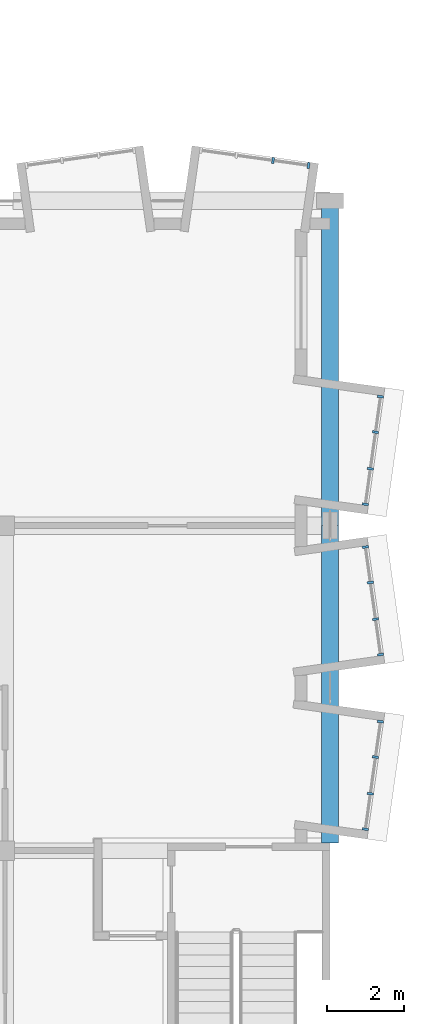
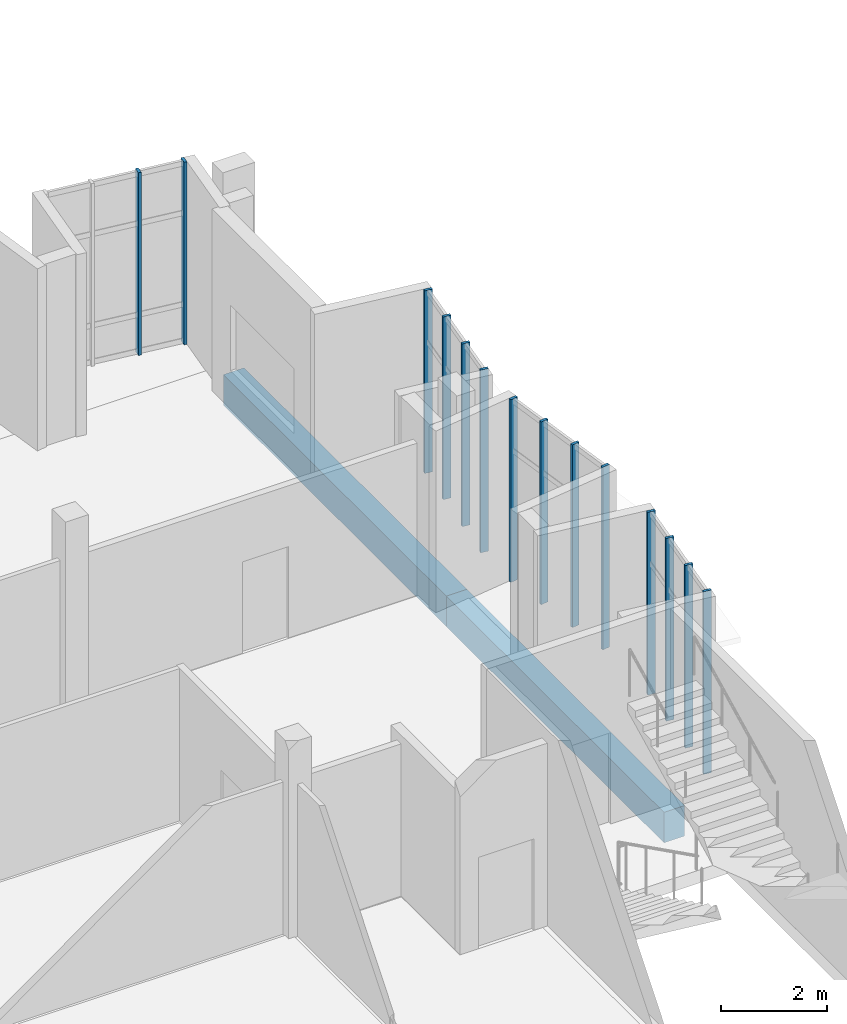
# One storey, part 4 of 18: 14 members, 2 beams, 4 elements without a shape of their own.
"""IFC4 building model written with IfcOpenShell, lengths in metres."""

from ifc_helpers import new_model, si_unit, direction, frame, origin, origin_2d, place, context, subcontext, project, spatial, rectangle, extrude, material, layer, layer_set, material_profile, profile_set, type_object, element, aggregate, save


model = new_model("IFC4")

# Units and contexts
model_context = context("Model", 3, precision=1e-05, world=origin(), true_north=direction((0.0, 1.0)))
body_context = subcontext(model_context, "Body", "Model", "MODEL_VIEW")
ifc_project = project(units=[si_unit("LENGTHUNIT", "METRE"), si_unit("AREAUNIT", "SQUARE_METRE"), si_unit("VOLUMEUNIT", "CUBIC_METRE"), si_unit("PLANEANGLEUNIT", "RADIAN"), si_unit("MASSUNIT", "GRAM", prefix="KILO")], contexts=[model_context])

# Site, building, storey
site_placement = place(None, origin())
site = spatial("IfcSite", under=ifc_project, at=site_placement, CompositionType="ELEMENT")
building_placement = place(site_placement, origin())
building = spatial("IfcBuilding", under=site, at=building_placement, Name="Kiln Court Media Centre", CompositionType="ELEMENT")
storey_placement = place(building_placement, frame((0.0, 0.0, 33.60009765625)))
storey = spatial("IfcBuildingStorey", under=building, at=storey_placement, Name="L07", CompositionType="ELEMENT", Elevation=33.60009765625)

# Curtain wall, members
ifc_material_1 = material(Name="Aluminium 6063-T6", Category="aluminium")
ifc_layer = layer(ifc_material_1, 0.1201171875)
ifc_layer_set = layer_set([ifc_layer], Name="Aluminium unitised bay curtain wall")
curtain_wall_type = type_object("IfcCurtainWallType", Name="Aluminium unitised bay curtain wall", PredefinedType="USERDEFINED", material=ifc_layer_set)
curtain_wall_1_placement = place(storey_placement, origin())
curtain_wall_1 = element("IfcCurtainWall", 1, at=curtain_wall_1_placement, inside=storey, type_object=curtain_wall_type, Name="BAY V6A-E-L07-14 front", ObjectType="UNITISED CURTAIN WALL", PredefinedType="USERDEFINED")
ifc_material_2 = material(Name="Aluminium 6063-T6", Category="aluminium")
ifc_material_profile_1 = material_profile(ifc_material_2, rectangle(XDim=0.06005859375, YDim=0.159912109375, at=origin_2d()), Name="Aluminium mullion 60x160")
ifc_profile_set_1 = profile_set([ifc_material_profile_1], Name="Aluminium 6063-T6")
member_type = type_object("IfcMemberType", Name="Aluminium mullion 60x160", PredefinedType="MULLION", material=ifc_profile_set_1)
member_1_placement = place(storey_placement, frame((34.513671875, 8.952880859375, 0.0), z_axis=(0.0, 0.0, 1.0), x_axis=(0.139162472554, 0.990269562409, 0.0)))
member_1 = element("IfcMember", 2, at=member_1_placement, type_object=member_type, Name="CW7-01 mullion 1", PredefinedType="MULLION", context=body_context, shape_type="SweptSolid", body=[
    extrude(rectangle(XDim=0.06005859375, YDim=0.159912109375, at=origin_2d()), origin(), (0.0, 0.0, 1.0), 4.199951171875),
])
member_2_placement = place(storey_placement, frame((34.642578125, 9.870361328125, 0.0), z_axis=(0.0, 0.0, 1.0), x_axis=(0.139162472554, 0.990269562409, 0.0)))
member_2 = element("IfcMember", 3, at=member_2_placement, type_object=member_type, Name="CW7-01 mullion 2", PredefinedType="MULLION", context=body_context, shape_type="SweptSolid", body=[
    extrude(rectangle(XDim=0.06005859375, YDim=0.159912109375, at=origin_2d()), origin(), (0.0, 0.0, 1.0), 4.199951171875),
])
member_3_placement = place(storey_placement, frame((34.775634765625, 10.81787109375, 0.0), z_axis=(0.0, 0.0, 1.0), x_axis=(0.139162472554, 0.990269562409, 0.0)))
member_3 = element("IfcMember", 4, at=member_3_placement, type_object=member_type, Name="CW7-01 mullion 3", PredefinedType="MULLION", context=body_context, shape_type="SweptSolid", body=[
    extrude(rectangle(XDim=0.06005859375, YDim=0.159912109375, at=origin_2d()), origin(), (0.0, 0.0, 1.0), 4.199951171875),
])
member_4_placement = place(storey_placement, frame((34.904541015625, 11.735595703125, 0.0), z_axis=(0.0, 0.0, 1.0), x_axis=(0.139162472554, 0.990269562409, 0.0)))
member_4 = element("IfcMember", 5, at=member_4_placement, type_object=member_type, Name="CW7-01 mullion 4", PredefinedType="MULLION", context=body_context, shape_type="SweptSolid", body=[
    extrude(rectangle(XDim=0.06005859375, YDim=0.159912109375, at=origin_2d()), origin(), (0.0, 0.0, 1.0), 4.199951171875),
])
aggregate(curtain_wall_1, [member_1, member_2, member_3, member_4])

curtain_wall_2_placement = place(storey_placement, origin())
curtain_wall_2 = element("IfcCurtainWall", 6, at=curtain_wall_2_placement, inside=storey, type_object=curtain_wall_type, Name="BAY V6A-E-L07-15 front", ObjectType="UNITISED CURTAIN WALL", PredefinedType="USERDEFINED")
member_5_placement = place(storey_placement, frame((34.904541015625, 13.464599609375, 0.0), z_axis=(0.0, 0.0, 1.0), x_axis=(-0.139162472554, 0.990269562409, 0.0)))
member_5 = element("IfcMember", 7, at=member_5_placement, type_object=member_type, Name="CW7-02 mullion 1", PredefinedType="MULLION", context=body_context, shape_type="SweptSolid", body=[
    extrude(rectangle(XDim=0.06005859375, YDim=0.159912109375, at=origin_2d()), origin(), (0.0, 0.0, 1.0), 4.199951171875),
])
member_6_placement = place(storey_placement, frame((34.775634765625, 14.382080078125, 0.0), z_axis=(0.0, 0.0, 1.0), x_axis=(-0.139162472554, 0.990269562409, 0.0)))
member_6 = element("IfcMember", 8, at=member_6_placement, type_object=member_type, Name="CW7-02 mullion 2", PredefinedType="MULLION", context=body_context, shape_type="SweptSolid", body=[
    extrude(rectangle(XDim=0.06005859375, YDim=0.159912109375, at=origin_2d()), origin(), (0.0, 0.0, 1.0), 4.199951171875),
])
member_7_placement = place(storey_placement, frame((34.642578125, 15.32958984375, 0.0), z_axis=(0.0, 0.0, 1.0), x_axis=(-0.139162472554, 0.990269562409, 0.0)))
member_7 = element("IfcMember", 9, at=member_7_placement, type_object=member_type, Name="CW7-02 mullion 3", PredefinedType="MULLION", context=body_context, shape_type="SweptSolid", body=[
    extrude(rectangle(XDim=0.06005859375, YDim=0.159912109375, at=origin_2d()), origin(), (0.0, 0.0, 1.0), 4.199951171875),
])
member_8_placement = place(storey_placement, frame((34.513671875, 16.2470703125, 0.0), z_axis=(0.0, 0.0, 1.0), x_axis=(-0.139162472554, 0.990269562409, 0.0)))
member_8 = element("IfcMember", 10, at=member_8_placement, type_object=member_type, Name="CW7-02 mullion 4", PredefinedType="MULLION", context=body_context, shape_type="SweptSolid", body=[
    extrude(rectangle(XDim=0.06005859375, YDim=0.159912109375, at=origin_2d()), origin(), (0.0, 0.0, 1.0), 4.199951171875),
])
aggregate(curtain_wall_2, [member_5, member_6, member_7, member_8])

curtain_wall_3_placement = place(storey_placement, origin())
curtain_wall_3 = element("IfcCurtainWall", 11, at=curtain_wall_3_placement, inside=storey, type_object=curtain_wall_type, Name="BAY V6A-E-L07-16 front", ObjectType="UNITISED CURTAIN WALL", PredefinedType="USERDEFINED")
member_9_placement = place(storey_placement, frame((34.513671875, 17.352783203125, 0.0), z_axis=(0.0, 0.0, 1.0), x_axis=(0.139162472554, 0.990269562409, 0.0)))
member_9 = element("IfcMember", 12, at=member_9_placement, type_object=member_type, Name="CW7-03 mullion 1", PredefinedType="MULLION", context=body_context, shape_type="SweptSolid", body=[
    extrude(rectangle(XDim=0.06005859375, YDim=0.159912109375, at=origin_2d()), origin(), (0.0, 0.0, 1.0), 4.199951171875),
])
member_10_placement = place(storey_placement, frame((34.642578125, 18.2705078125, 0.0), z_axis=(0.0, 0.0, 1.0), x_axis=(0.139162472554, 0.990269562409, 0.0)))
member_10 = element("IfcMember", 13, at=member_10_placement, type_object=member_type, Name="CW7-03 mullion 2", PredefinedType="MULLION", context=body_context, shape_type="SweptSolid", body=[
    extrude(rectangle(XDim=0.06005859375, YDim=0.159912109375, at=origin_2d()), origin(), (0.0, 0.0, 1.0), 4.199951171875),
])
member_11_placement = place(storey_placement, frame((34.775634765625, 19.2177734375, 0.0), z_axis=(0.0, 0.0, 1.0), x_axis=(0.139162472554, 0.990269562409, 0.0)))
member_11 = element("IfcMember", 14, at=member_11_placement, type_object=member_type, Name="CW7-03 mullion 3", PredefinedType="MULLION", context=body_context, shape_type="SweptSolid", body=[
    extrude(rectangle(XDim=0.06005859375, YDim=0.159912109375, at=origin_2d()), origin(), (0.0, 0.0, 1.0), 4.199951171875),
])
member_12_placement = place(storey_placement, frame((34.904541015625, 20.135498046875, 0.0), z_axis=(0.0, 0.0, 1.0), x_axis=(0.139162472554, 0.990269562409, 0.0)))
member_12 = element("IfcMember", 15, at=member_12_placement, type_object=member_type, Name="CW7-03 mullion 4", PredefinedType="MULLION", context=body_context, shape_type="SweptSolid", body=[
    extrude(rectangle(XDim=0.06005859375, YDim=0.159912109375, at=origin_2d()), origin(), (0.0, 0.0, 1.0), 4.199951171875),
])
aggregate(curtain_wall_3, [member_9, member_10, member_11, member_12])

curtain_wall_4_placement = place(storey_placement, origin())
curtain_wall_4 = element("IfcCurtainWall", 16, at=curtain_wall_4_placement, inside=storey, type_object=curtain_wall_type, Name="BAY V6A-N-L07-51 front", ObjectType="UNITISED CURTAIN WALL", PredefinedType="USERDEFINED")
member_13_placement = place(storey_placement, frame((32.129638671875, 26.242431640625, 0.0), z_axis=(0.0, 0.0, 1.0), x_axis=(0.990269562409, -0.139162472554, 0.0)))
member_13 = element("IfcMember", 17, at=member_13_placement, type_object=member_type, Name="CW7-10 mullion 3", PredefinedType="MULLION", context=body_context, shape_type="SweptSolid", body=[
    extrude(rectangle(XDim=0.06005859375, YDim=0.159912109375, at=origin_2d()), origin(), (0.0, 0.0, 1.0), 4.199951171875),
])
member_14_placement = place(storey_placement, frame((33.047119140625, 26.113525390625, 0.0), z_axis=(0.0, 0.0, 1.0), x_axis=(0.990269562409, -0.139162472554, 0.0)))
member_14 = element("IfcMember", 18, at=member_14_placement, type_object=member_type, Name="CW7-10 mullion 4", PredefinedType="MULLION", context=body_context, shape_type="SweptSolid", body=[
    extrude(rectangle(XDim=0.06005859375, YDim=0.159912109375, at=origin_2d()), origin(), (0.0, 0.0, 1.0), 4.199951171875),
])
aggregate(curtain_wall_4, [member_13, member_14])

# Beams
ifc_material_3 = material(Name="Concrete C30/37", Category="concrete")
ifc_material_profile_2 = material_profile(ifc_material_3, rectangle(XDim=0.449951171875, YDim=0.699951171875, at=origin_2d()), Name="RC 450x700")
ifc_profile_set_2 = profile_set([ifc_material_profile_2], Name="Concrete C30/37")
beam_type = type_object("IfcBeamType", Name="Concrete C30/37 beam 450x700", PredefinedType="BEAM", material=ifc_profile_set_2)
beam_1_placement = place(storey_placement, frame((33.60009765625, 8.60009765625, -0.650146484375), z_axis=(0.0, 1.0, 0.0), x_axis=(-1.0, 0.0, 0.0)))
element("IfcBeam", 19, at=beam_1_placement, inside=storey, type_object=beam_type, Name="L07-B-1006", PredefinedType="BEAM", context=body_context, shape_type="SweptSolid", body=[
    extrude(rectangle(XDim=0.449951171875, YDim=0.699951171875, at=origin_2d()), origin(), (0.0, 0.0, 1.0), 8.199951171875),
])
beam_2_placement = place(storey_placement, frame((33.60009765625, 16.800048828125, -0.650146484375), z_axis=(0.0, 1.0, 0.0), x_axis=(-1.0, 0.0, 0.0)))
element("IfcBeam", 20, at=beam_2_placement, inside=storey, type_object=beam_type, Name="L07-B-1007", PredefinedType="BEAM", context=body_context, shape_type="SweptSolid", body=[
    extrude(rectangle(XDim=0.449951171875, YDim=0.699951171875, at=origin_2d()), origin(), (0.0, 0.0, 1.0), 8.39990234375),
])

save(model, "model.ifc")
